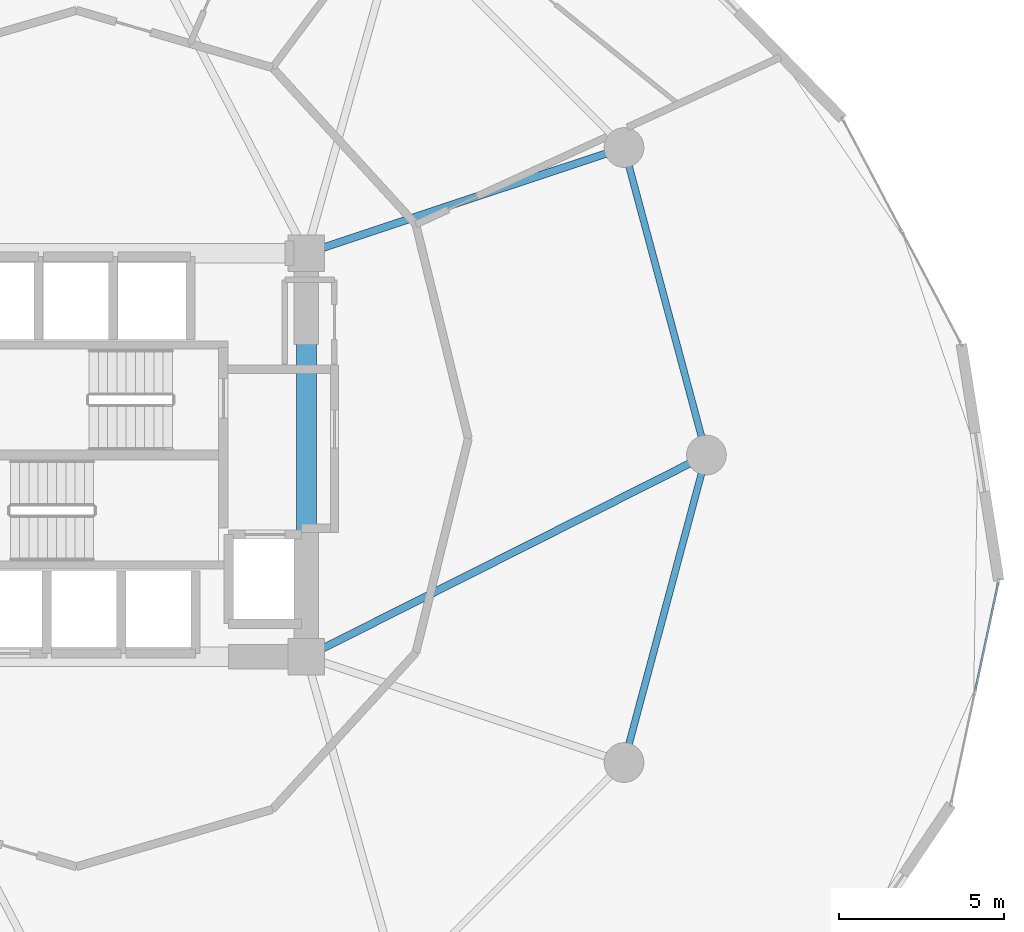
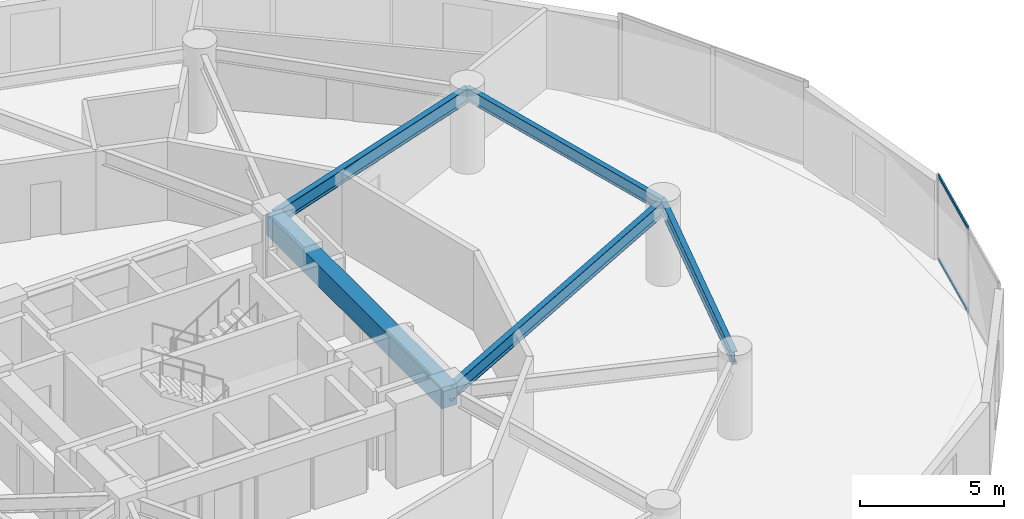
# One storey, part 11 of 24: 5 beams, 2 members, 1 element without a shape of its own.
"""IFC4 building model written with IfcOpenShell, lengths in metres."""

import ifcopenshell
import ifcopenshell.guid

model = None  # the IFC model being written
_history = None  # IfcOwnerHistory: only IFC2X3 demands one
_inside = {}  # id of a spatial element -> (the spatial element, [elements in it])
_under = {}  # id of a project, library or spatial element -> (it, [spatial elements below it])
_declared = {}  # id of a project -> (the project, [libraries it declares])
_typed = {}  # id of a type object -> (the type object, [elements of that type])
_made_of = {}  # id of a material, layer set ... -> (it, [elements and type objects made of it])


def new_model(schema):
    """Start an empty IFC model of exactly this schema.

    Asked for "IFC4X3", IfcOpenShell would pick the latest addendum, in which some entities
    have other attributes; the version numbers below select the first issue.
    IFC2X3 requires an IfcOwnerHistory on every rooted entity: one is made here for all.
    """
    global model, _history
    if schema == "IFC4X3":
        model = ifcopenshell.file(schema_version=(4, 3, 0, 0))
    else:
        model = ifcopenshell.file(schema=schema)
    _inside.clear()
    _under.clear()
    _declared.clear()
    _typed.clear()
    _made_of.clear()
    _history = None
    if model.schema == "IFC2X3":
        org = make("IfcOrganization", Name="unknown")
        user = make(
            "IfcPersonAndOrganization",
            ThePerson=make("IfcPerson", FamilyName="unknown"),
            TheOrganization=org,
        )
        app = make(
            "IfcApplication",
            ApplicationDeveloper=org,
            Version="unknown",
            ApplicationFullName="unknown",
            ApplicationIdentifier="unknown",
        )
        _history = make(
            "IfcOwnerHistory",
            OwningUser=user,
            OwningApplication=app,
            ChangeAction="ADDED",
            CreationDate=0,
        )
    return model


def make(cls, **values):
    """One entity of the class cls with the attributes given. An attribute that is None is left unset."""
    return model.create_entity(
        cls, **{name: value for name, value in values.items() if value is not None}
    )


def rooted(cls, **values):
    """An entity with a GlobalId (a new one), such as an element, a storey or a relation."""
    return make(cls, GlobalId=ifcopenshell.guid.new(), OwnerHistory=_history, **values)


def si_unit(unit_type, name, prefix=None):
    """IfcSIUnit, for example si_unit("LENGTHUNIT", "METRE", prefix="MILLI")."""
    return make("IfcSIUnit", UnitType=unit_type, Prefix=prefix, Name=name)


def assignment(units):
    """IfcUnitAssignment: the units of a project."""
    return None if units is None else make("IfcUnitAssignment", Units=units)


def point(xyz):
    """IfcCartesianPoint."""
    return None if xyz is None else make("IfcCartesianPoint", Coordinates=xyz)


def direction(xyz):
    """IfcDirection."""
    return None if xyz is None else make("IfcDirection", DirectionRatios=xyz)


def frame(location, z_axis=None, x_axis=None):
    """IfcAxis2Placement3D, a coordinate frame: its origin and axes. An axis left out is left unset."""
    return make(
        "IfcAxis2Placement3D",
        Location=point(location),
        Axis=direction(z_axis),
        RefDirection=direction(x_axis),
    )


def frame_2d(location, x_axis=None):
    """IfcAxis2Placement2D, a coordinate frame in the plane: its origin and x axis."""
    return make(
        "IfcAxis2Placement2D", Location=point(location), RefDirection=direction(x_axis)
    )


def origin():
    """The frame at (0, 0, 0) with its axes left unset."""
    return frame((0.0, 0.0, 0.0))


def origin_2d():
    """The frame at (0, 0) in the plane with its x axis left unset."""
    return frame_2d((0.0, 0.0))


def place(relative_to, where):
    """IfcLocalPlacement: puts the frame where relative to a parent placement (None: the world)."""
    return make(
        "IfcLocalPlacement", PlacementRelTo=relative_to, RelativePlacement=where
    )


def context(
    kind, dimensions, precision=None, world=None, true_north=None, identifier=None
):
    """IfcGeometricRepresentationContext, for example the 3D "Model" context."""
    return make(
        "IfcGeometricRepresentationContext",
        ContextIdentifier=identifier,
        ContextType=kind,
        CoordinateSpaceDimension=dimensions,
        Precision=precision,
        WorldCoordinateSystem=world,
        TrueNorth=true_north,
    )


def subcontext(parent, identifier, kind, view, scale=None):
    """IfcGeometricRepresentationSubContext, for example "Body" below "Model"."""
    return make(
        "IfcGeometricRepresentationSubContext",
        ContextIdentifier=identifier,
        ContextType=kind,
        ParentContext=parent,
        TargetScale=scale,
        TargetView=view,
    )


def project(units=None, contexts=None):
    """IfcProject with its units and contexts."""
    return rooted(
        "IfcProject",
        Name="project",
        RepresentationContexts=contexts,
        UnitsInContext=assignment(units),
    )


def spatial(cls, under=None, at=None, **own):
    """A site, building, storey or space (cls), placed at a placement, below another one or the project."""
    s = rooted(cls, ObjectPlacement=at, **own)
    if under is not None:
        _under.setdefault(under.id(), (under, []))[1].append(s)
    return s


def profile(cls, at=None, kind="AREA", **sizes):
    """A parametric profile (cls). Its sizes go by their IFC names, for example OverallWidth=200.0."""
    return make(cls, ProfileType=kind, Position=at, **sizes)


def rectangle(**sizes):
    """IfcRectangleProfileDef."""
    return profile("IfcRectangleProfileDef", **sizes)


def hollow_rectangle(**sizes):
    """IfcRectangleHollowProfileDef."""
    return profile("IfcRectangleHollowProfileDef", **sizes)


def i_section(**sizes):
    """IfcIShapeProfileDef."""
    return profile("IfcIShapeProfileDef", **sizes)


def extrude(swept, where, along, depth):
    """IfcExtrudedAreaSolid: the profile swept, set in the frame where, extruded along a direction by depth."""
    return make(
        "IfcExtrudedAreaSolid",
        SweptArea=swept,
        Position=where,
        ExtrudedDirection=direction(along),
        Depth=depth,
    )


def shape(context_of_items, identifier, shape_type, items):
    """IfcShapeRepresentation: the items that make up one representation, for example the "Body"."""
    return make(
        "IfcShapeRepresentation",
        ContextOfItems=context_of_items,
        RepresentationIdentifier=identifier,
        RepresentationType=shape_type,
        Items=items,
    )


def source(mapping_origin, context_of_items, identifier, shape_type, items):
    """IfcRepresentationMap: a shape defined once, which mapped items show again and again."""
    return make(
        "IfcRepresentationMap",
        MappingOrigin=mapping_origin,
        MappedRepresentation=shape(context_of_items, identifier, shape_type, items),
    )


def transform(
    local_origin,
    x_axis=None,
    y_axis=None,
    z_axis=None,
    scale=None,
    scale2=None,
    scale3=None,
    uniform=True,
):
    """IfcCartesianTransformationOperator3D, or its non-uniform kind. x_axis, y_axis, z_axis: its Axis1, 2, 3."""
    if uniform:
        return make(
            "IfcCartesianTransformationOperator3D",
            Axis1=direction(x_axis),
            Axis2=direction(y_axis),
            LocalOrigin=point(local_origin),
            Scale=scale,
            Axis3=direction(z_axis),
        )
    return make(
        "IfcCartesianTransformationOperator3DnonUniform",
        Axis1=direction(x_axis),
        Axis2=direction(y_axis),
        LocalOrigin=point(local_origin),
        Scale=scale,
        Axis3=direction(z_axis),
        Scale2=scale2,
        Scale3=scale3,
    )


def mapped(mapping_source, mapping_target):
    """IfcMappedItem: shows the shape of a source again, moved by a transform."""
    return make(
        "IfcMappedItem", MappingSource=mapping_source, MappingTarget=mapping_target
    )


def material(Name=None, Category=None):
    """IfcMaterial."""
    return make("IfcMaterial", Name=Name, Category=Category)


def layer(
    of_material, thickness, ventilated=None, Name=None, Category=None, Priority=None
):
    """IfcMaterialLayer: one layer of a wall or slab, of a material (None: an air gap)."""
    return make(
        "IfcMaterialLayer",
        Material=of_material,
        LayerThickness=thickness,
        IsVentilated=ventilated,
        Name=Name,
        Category=Category,
        Priority=Priority,
    )


def layer_set(layers, Name=None):
    """IfcMaterialLayerSet."""
    return make("IfcMaterialLayerSet", MaterialLayers=layers, LayerSetName=Name)


def material_profile(
    of_material, cross_section, Name=None, Category=None, Priority=None
):
    """IfcMaterialProfile: a cross section and its material."""
    return make(
        "IfcMaterialProfile",
        Name=Name,
        Material=of_material,
        Profile=cross_section,
        Priority=Priority,
        Category=Category,
    )


def profile_set(profiles, Name=None, composite=None):
    """IfcMaterialProfileSet."""
    return make(
        "IfcMaterialProfileSet",
        Name=Name,
        MaterialProfiles=profiles,
        CompositeProfile=composite,
    )


def made_of(thing, what):
    """Note that an element or type object is made of a material, layer set ...; save() writes the relation."""
    if what is not None:
        _made_of.setdefault(what.id(), (what, []))[1].append(thing)
    return thing


def type_object(cls, material=None, **own):
    """A type object (cls), such as IfcWallType, which elements share."""
    return made_of(rooted(cls, **own), material)


def element(
    cls,
    number,
    at=None,
    inside=None,
    cuts=None,
    type_object=None,
    material=None,
    context=None,
    identifier="Body",
    shape_type=None,
    held_by="IfcProductDefinitionShape",
    body=None,
    shapes=None,
    **own,
):
    """One element of the class cls, such as IfcWall. Its Tag is "e" and its number.

    at: its placement. inside: the storey or other place that contains it. cuts: it is an
    opening in that element (IfcRelVoidsElement). A single representation is given by context,
    identifier, shape_type and body (its items); several are given by shapes. held_by: the class
    of the entity that holds the representations. save() writes the other relations.
    """
    e = rooted(cls, Tag="e%d" % number, ObjectPlacement=at, **own)
    if body is not None:
        shapes = [shape(context, identifier, shape_type, body)]
    if shapes is not None:
        e.Representation = make(held_by, Representations=shapes)
    if inside is not None:
        _inside.setdefault(inside.id(), (inside, []))[1].append(e)
    if cuts is not None:
        rooted(
            "IfcRelVoidsElement", RelatingBuildingElement=cuts, RelatedOpeningElement=e
        )
    if type_object is not None:
        _typed.setdefault(type_object.id(), (type_object, []))[1].append(e)
    return made_of(e, material)


def aggregate(whole, parts):
    """IfcRelAggregates: a whole, such as a stair, and the parts it consists of."""
    return rooted("IfcRelAggregates", RelatingObject=whole, RelatedObjects=parts)


def save(model, path):
    """Write the relations noted so far, then the file.

    IfcRelAggregates (storeys below a building ...), IfcRelContainedInSpatialStructure (elements
    in a storey), IfcRelDefinesByType, IfcRelAssociatesMaterial and IfcRelDeclares: one each for
    every whole, place, type object, material and project.
    """
    for whole, parts in _under.values():
        aggregate(whole, parts)
    for where, things in _inside.values():
        rooted(
            "IfcRelContainedInSpatialStructure",
            RelatedElements=things,
            RelatingStructure=where,
        )
    for kind, things in _typed.values():
        rooted("IfcRelDefinesByType", RelatedObjects=things, RelatingType=kind)
    for what, things in _made_of.values():
        rooted("IfcRelAssociatesMaterial", RelatedObjects=things, RelatingMaterial=what)
    for by, libraries in _declared.values():
        rooted("IfcRelDeclares", RelatingContext=by, RelatedDefinitions=libraries)
    model.write(path)


model = new_model("IFC4")

# Units and contexts
model_context = context("Model", 3, precision=1e-05, world=origin(), true_north=direction((0.0, 1.0)))
body_context = subcontext(model_context, "Body", "Model", "MODEL_VIEW")
ifc_project = project(units=[si_unit("LENGTHUNIT", "METRE"), si_unit("AREAUNIT", "SQUARE_METRE"), si_unit("VOLUMEUNIT", "CUBIC_METRE"), si_unit("PLANEANGLEUNIT", "RADIAN"), si_unit("MASSUNIT", "GRAM", prefix="KILO")], contexts=[model_context])

# Site, building, storey
site_placement = place(None, origin())
site = spatial("IfcSite", under=ifc_project, at=site_placement, CompositionType="ELEMENT")
building_placement = place(site_placement, origin())
building = spatial("IfcBuilding", under=site, at=building_placement, Name="Solvirekh Grand Hotel", CompositionType="ELEMENT")
storey_placement = place(building_placement, frame((0.0, 0.0, 82.39990234375)))
storey = spatial("IfcBuildingStorey", under=building, at=storey_placement, Name="L20", CompositionType="ELEMENT", Elevation=82.39990234375)

# Beams
ifc_material_1 = material(Name="Concrete C50/60", Category="concrete")
ifc_material_profile_1 = material_profile(ifc_material_1, rectangle(XDim=0.60009765625, YDim=0.89990234375, at=origin_2d()), Name="RC BEAM 600X900")
ifc_profile_set_1 = profile_set([ifc_material_profile_1], Name="Concrete C50/60")
beam_type_1 = type_object("IfcBeamType", Name="Beam_Core_RC900", PredefinedType="BEAM", material=ifc_profile_set_1)
beam_1_placement = place(storey_placement, frame((6.5, -6.10009765625, 2.89013671875), z_axis=(0.0, 1.0, 0.0), x_axis=(-1.0, 0.0, 0.0)))
element("IfcBeam", 1, at=beam_1_placement, inside=storey, type_object=beam_type_1, Name="L20 core coupling ring beam 2", PredefinedType="BEAM", context=body_context, shape_type="SweptSolid", body=[
    extrude(rectangle(XDim=0.60009765625, YDim=0.89990234375, at=origin_2d()), origin(), (0.0, 0.0, 1.0), 12.2001953125),
])
ifc_material_2 = material(Name="Steel S355", Category="steel")
ifc_material_profile_2 = material_profile(ifc_material_2, i_section(OverallWidth=0.22998046875, OverallDepth=0.615966796875, WebThickness=0.013916015625, FlangeThickness=0.02392578125, FilletRadius=0.014892578125, at=origin_2d()), Name="W610X174")
ifc_profile_set_2 = profile_set([ifc_material_profile_2], Name="Steel S355")
beam_type_2 = type_object("IfcBeamType", Name="Beam_Primary_W610H", PredefinedType="BEAM", material=ifc_profile_set_2)
beam_2_placement = place(storey_placement, frame((6.5, -6.10009765625, 3.031982421875), z_axis=(0.892944939011, 0.450165898191, 0.0), x_axis=(-0.450165898191, 0.892944939011, 0.0)))
element("IfcBeam", 2, at=beam_2_placement, inside=storey, type_object=beam_type_2, Name="L20 radial floor beam R01", PredefinedType="BEAM", context=body_context, shape_type="SweptSolid", body=[
    extrude(i_section(OverallWidth=0.22998046875, OverallDepth=0.615966796875, WebThickness=0.013916015625, FlangeThickness=0.02392578125, FilletRadius=0.014892578125, at=origin_2d()), origin(), (0.0, 0.0, 1.0), 13.55078125),
])
beam_3_placement = place(storey_placement, frame((6.5, 6.10009765625, 3.031982421875), z_axis=(0.948762825819, 0.315989082635, 0.0), x_axis=(-0.315989082635, 0.948762825819, 0.0)))
element("IfcBeam", 3, at=beam_3_placement, inside=storey, type_object=beam_type_2, Name="L20 radial floor beam R02", PredefinedType="BEAM", context=body_context, shape_type="SweptSolid", body=[
    extrude(i_section(OverallWidth=0.22998046875, OverallDepth=0.615966796875, WebThickness=0.013916015625, FlangeThickness=0.02392578125, FilletRadius=0.014892578125, at=origin_2d()), origin(), (0.0, 0.0, 1.0), 10.126708984375),
])
ifc_material_profile_3 = material_profile(ifc_material_2, i_section(OverallWidth=0.208984375, OverallDepth=0.532958984375, WebThickness=0.010009765625, FlangeThickness=0.014892578125, FilletRadius=0.013916015625, at=origin_2d()), Name="W530X92")
ifc_profile_set_3 = profile_set([ifc_material_profile_3], Name="Steel S355")
beam_type_3 = type_object("IfcBeamType", Name="Spandrel_Ring_W530", PredefinedType="SPANDREL", material=ifc_profile_set_3)
for number, where, z_axis, x_axis, name in (
    (4, (18.60009765625, 0.0, 3.07421875), (-0.258842973314, 0.965919414426, 0.0), (-0.965919414426, -0.258842973314, 0.0), "L20 perimeter spandrel beam 1"),
    (5, (16.10791015625, -9.300048828125, 3.07421875), (0.258842973314, 0.965919414426, 0.0), (-0.965919414426, 0.258842973314, 0.0), "L20 perimeter spandrel beam 12"),
):
    element("IfcBeam", number, at=place(storey_placement, frame(where, z_axis=z_axis, x_axis=x_axis)), inside=storey, type_object=beam_type_3, Name=name, PredefinedType="SPANDREL", context=body_context, shape_type="SweptSolid", body=[
        extrude(i_section(OverallWidth=0.208984375, OverallDepth=0.532958984375, WebThickness=0.010009765625, FlangeThickness=0.014892578125, FilletRadius=0.013916015625, at=origin_2d()), origin(), (0.0, 0.0, 1.0), 9.628173828125),
    ])

# Curtain wall, members
ifc_material_3 = material(Name="Anodized Bronze Aluminium 6063-T6", Category="aluminium")
ifc_layer = layer(ifc_material_3, 0.18994140625)
ifc_layer_set = layer_set([ifc_layer], Name="Anodized Bronze Aluminium 6063-T6")
curtain_wall_type = type_object("IfcCurtainWallType", Name="CW_Sys2_LowZoneFlushBronzeCW", PredefinedType="NOTDEFINED", material=ifc_layer_set)
curtain_wall_placement = place(storey_placement, origin())
curtain_wall = element("IfcCurtainWall", 6, at=curtain_wall_placement, inside=storey, type_object=curtain_wall_type, Name="L20 unitised bronze-glass curtain wall CW-L20-C01", PredefinedType="NOTDEFINED")
ifc_material_profile_4 = material_profile(ifc_material_3, hollow_rectangle(XDim=0.06005859375, YDim=0.135009765625, WallThickness=0.00390625, at=origin_2d()), Name="ALU RHS 135X60X4")
ifc_profile_set_4 = profile_set([ifc_material_profile_4], Name="Anodized Bronze Aluminium 6063-T6")
member_type = type_object("IfcMemberType", Name="CWTransom_Sys2", PredefinedType="USERDEFINED", material=ifc_profile_set_4)
shared_shape = source(origin(), body_context, "Body", "SweptSolid", [
    extrude(hollow_rectangle(XDim=0.06005859375, YDim=0.135009765625, WallThickness=0.00390625, at=origin_2d()), origin(), (0.0, 0.0, 1.0), 3.357666015625),
])
member_1_placement = place(storey_placement, frame((26.725830078125, -7.146240234375, 0.030029296875), z_axis=(0.20868483641, 0.977982944152, 0.0), x_axis=(-0.977982944152, 0.20868483641, 0.0)))
member_1 = element("IfcMember", 7, at=member_1_placement, type_object=member_type, Name="U02 transom 2.1", ObjectType="TRANSOM", PredefinedType="USERDEFINED", context=body_context, shape_type="MappedRepresentation", body=[
    mapped(shared_shape, transform((0.0, 0.0, 0.0), x_axis=(1.0, 0.0, 0.0), y_axis=(0.0, 1.0, 0.0), z_axis=(0.0, 0.0, 1.0), scale=1.0)),
])
member_2_placement = place(storey_placement, frame((26.725830078125, -7.146240234375, 3.570068359375), z_axis=(0.20868483641, 0.977982944152, 0.0), x_axis=(-0.977982944152, 0.20868483641, 0.0)))
member_2 = element("IfcMember", 8, at=member_2_placement, type_object=member_type, Name="U02 transom 2.2", ObjectType="TRANSOM", PredefinedType="USERDEFINED", context=body_context, shape_type="MappedRepresentation", body=[
    mapped(shared_shape, transform((0.0, 0.0, 0.0), x_axis=(1.0, 0.0, 0.0), y_axis=(0.0, 1.0, 0.0), z_axis=(0.0, 0.0, 1.0), scale=1.0)),
])
aggregate(curtain_wall, [member_1, member_2])

save(model, "model.ifc")
